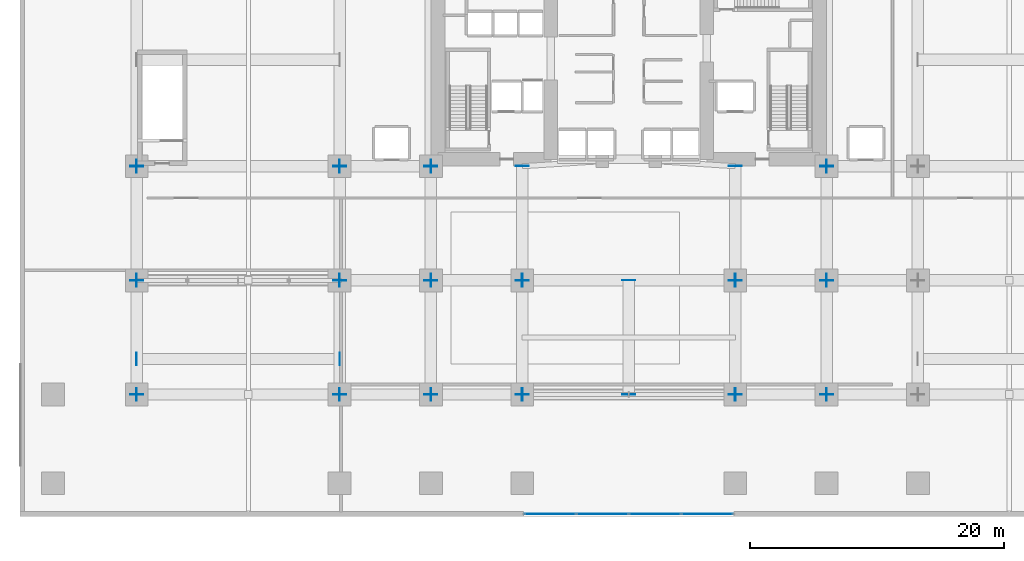
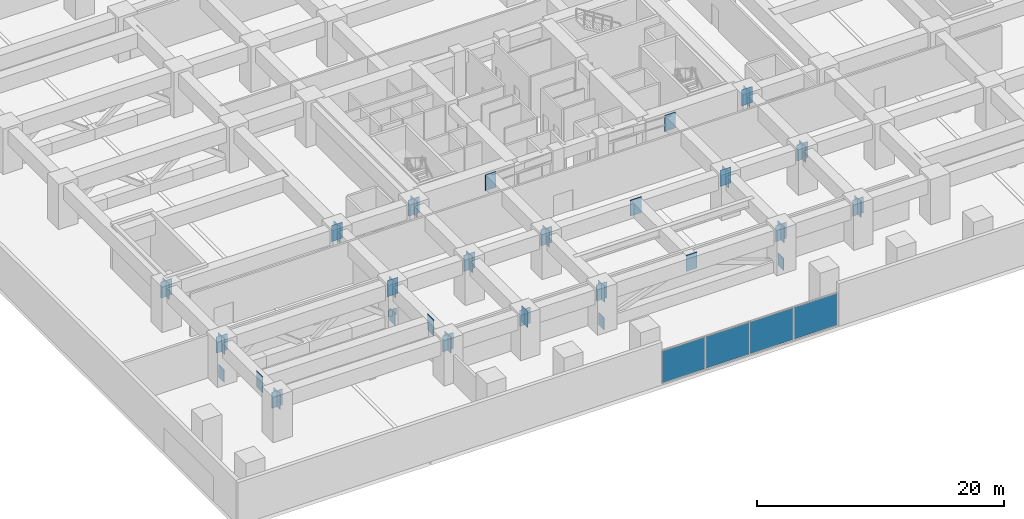
# One storey, part 8 of 25: 68 plates, 1 element without a shape of its own.
"""IFC4 building model written with IfcOpenShell, lengths in metres."""

from ifc_helpers import new_model, si_unit, direction, frame, origin, origin_2d, place, context, subcontext, project, spatial, rectangle, extrude, material, layer, layer_set, type_object, element, aggregate, save


model = new_model("IFC4")

# Units and contexts
model_context = context("Model", 3, precision=1e-05, world=origin(), true_north=direction((0.0, 1.0)))
body_context = subcontext(model_context, "Body", "Model", "MODEL_VIEW")
ifc_project = project(units=[si_unit("LENGTHUNIT", "METRE"), si_unit("AREAUNIT", "SQUARE_METRE"), si_unit("VOLUMEUNIT", "CUBIC_METRE"), si_unit("PLANEANGLEUNIT", "RADIAN"), si_unit("MASSUNIT", "GRAM", prefix="KILO")], contexts=[model_context])

# Site, building, storey
site_placement = place(None, origin())
site = spatial("IfcSite", under=ifc_project, at=site_placement, CompositionType="ELEMENT")
building_placement = place(site_placement, origin())
building = spatial("IfcBuilding", under=site, at=building_placement, Name="Kiyonajd Concourse Tower", CompositionType="ELEMENT")
storey_placement = place(building_placement, frame((0.0, 0.0, 17.10009765625)))
storey = spatial("IfcBuildingStorey", under=building, at=storey_placement, Name="L05", CompositionType="ELEMENT", Elevation=17.10009765625)

# Plates
ifc_material_1 = material(Name="Steel ASTM A572 Grade 50", Category="steel")
ifc_layer_1 = layer(ifc_material_1, 0.031982421875)
ifc_layer_set_1 = layer_set([ifc_layer_1], Name="Steel ASTM A572 Grade 50")
plate_type_1 = type_object("IfcPlateType", Name="PL-CAP-540", PredefinedType="USERDEFINED", material=ifc_layer_set_1)
for number, where, z_axis, x_axis, name in (
    (1, (9.18896484375, 18.60009765625, -0.0703125), (0.0, 0.0, 1.0), (-1.0, 0.0, 0.0), "L05 Truss Chord End Cap"),
    (2, (25.2109375, 18.60009765625, -0.0703125), (0.0, 0.0, 1.0), (1.0, 0.0, 0.0), "L05 Truss Chord End Cap"),
    (3, (39.589111328125, 9.60009765625, -0.0703125), (0.0, 0.0, 1.0), (-1.0, 0.0, 0.0), "L05 Concourse Chord Cap"),
    (4, (56.410888671875, 9.60009765625, -0.0703125), (0.0, 0.0, 1.0), (1.0, 0.0, 0.0), "L05 Concourse Chord Cap"),
):
    element("IfcPlate", number, at=place(storey_placement, frame(where, z_axis=z_axis, x_axis=x_axis)), inside=storey, type_object=plate_type_1, Name=name, ObjectType="CAP PLATE", PredefinedType="USERDEFINED", context=body_context, shape_type="SweptSolid", body=[
        extrude(rectangle(XDim=0.035888671875, YDim=0.8701171875, at=origin_2d()), origin(), (0.0, 0.0, 1.0), 1.239990234375),
    ])
for number, where, z_axis, x_axis, name in (
    (5, (9.18896484375, 12.39990234375, 2.7197265625), (0.0, 0.0, 1.0), (-1.0, 0.0, 0.0), "L05 Transfer Box Cap Plate"),
    (6, (25.2109375, 12.39990234375, 2.7197265625), (0.0, 0.0, 1.0), (1.0, 0.0, 0.0), "L05 Transfer Box Cap Plate"),
    (7, (48.0, 9.589111328125, 2.7197265625), (0.0, 0.0, 1.0), (0.0, -1.0, 0.0), "L05 Transfer Box Cap Plate"),
    (8, (48.0, 18.611083984375, 2.7197265625), (0.0, 0.0, 1.0), (0.0, 1.0, 0.0), "L05 Transfer Box Cap Plate"),
    (9, (9.18896484375, 9.60009765625, 2.7197265625), (0.0, 0.0, 1.0), (-1.0, 0.0, 0.0), "L05 Welded Box Girder End Cap"),
    (10, (25.2109375, 9.60009765625, 2.7197265625), (0.0, 0.0, 1.0), (1.0, 0.0, 0.0), "L05 Welded Box Girder End Cap"),
    (11, (25.18896484375, 9.60009765625, 2.7197265625), (0.0, 0.0, 1.0), (-1.0, 0.0, 0.0), "L05 Welded Box Girder End Cap"),
    (12, (32.410888671875, 9.60009765625, 2.7197265625), (0.0, 0.0, 1.0), (1.0, 0.0, 0.0), "L05 Welded Box Girder End Cap"),
    (13, (32.388916015625, 9.60009765625, 2.7197265625), (0.0, 0.0, 1.0), (-1.0, 0.0, 0.0), "L05 Welded Box Girder End Cap"),
    (14, (39.611083984375, 9.60009765625, 2.7197265625), (0.0, 0.0, 1.0), (1.0, 0.0, 0.0), "L05 Welded Box Girder End Cap"),
    (15, (39.589111328125, 9.60009765625, 2.7197265625), (0.0, 0.0, 1.0), (-1.0, 0.0, 0.0), "L05 Welded Box Girder End Cap"),
    (16, (56.410888671875, 9.60009765625, 2.7197265625), (0.0, 0.0, 1.0), (1.0, 0.0, 0.0), "L05 Welded Box Girder End Cap"),
    (17, (56.388916015625, 9.60009765625, 2.7197265625), (0.0, 0.0, 1.0), (-1.0, 0.0, 0.0), "L05 Welded Box Girder End Cap"),
    (18, (63.611083984375, 9.60009765625, 2.7197265625), (0.0, 0.0, 1.0), (1.0, 0.0, 0.0), "L05 Welded Box Girder End Cap"),
    (19, (63.589111328125, 9.60009765625, 2.7197265625), (0.0, 0.0, 1.0), (-1.0, 0.0, 0.0), "L05 Welded Box Girder End Cap"),
    (20, (9.18896484375, 18.60009765625, 2.7197265625), (0.0, 0.0, 1.0), (-1.0, 0.0, 0.0), "L05 Welded Box Girder End Cap"),
    (21, (25.2109375, 18.60009765625, 2.7197265625), (0.0, 0.0, 1.0), (1.0, 0.0, 0.0), "L05 Welded Box Girder End Cap"),
    (22, (25.18896484375, 18.60009765625, 2.7197265625), (0.0, 0.0, 1.0), (-1.0, 0.0, 0.0), "L05 Welded Box Girder End Cap"),
    (23, (32.410888671875, 18.60009765625, 2.7197265625), (0.0, 0.0, 1.0), (1.0, 0.0, 0.0), "L05 Welded Box Girder End Cap"),
    (24, (32.388916015625, 18.60009765625, 2.7197265625), (0.0, 0.0, 1.0), (-1.0, 0.0, 0.0), "L05 Welded Box Girder End Cap"),
    (25, (39.611083984375, 18.60009765625, 2.7197265625), (0.0, 0.0, 1.0), (1.0, 0.0, 0.0), "L05 Welded Box Girder End Cap"),
    (26, (39.589111328125, 18.60009765625, 2.7197265625), (0.0, 0.0, 1.0), (-1.0, 0.0, 0.0), "L05 Welded Box Girder End Cap"),
    (27, (56.410888671875, 18.60009765625, 2.7197265625), (0.0, 0.0, 1.0), (1.0, 0.0, 0.0), "L05 Welded Box Girder End Cap"),
    (28, (56.388916015625, 18.60009765625, 2.7197265625), (0.0, 0.0, 1.0), (-1.0, 0.0, 0.0), "L05 Welded Box Girder End Cap"),
    (29, (63.611083984375, 18.60009765625, 2.7197265625), (0.0, 0.0, 1.0), (1.0, 0.0, 0.0), "L05 Welded Box Girder End Cap"),
    (30, (63.589111328125, 18.60009765625, 2.7197265625), (0.0, 0.0, 1.0), (-1.0, 0.0, 0.0), "L05 Welded Box Girder End Cap"),
    (31, (9.18896484375, 27.60009765625, 2.7197265625), (0.0, 0.0, 1.0), (-1.0, 0.0, 0.0), "L05 Welded Box Girder End Cap"),
    (32, (25.2109375, 27.60009765625, 2.7197265625), (0.0, 0.0, 1.0), (1.0, 0.0, 0.0), "L05 Welded Box Girder End Cap"),
    (33, (25.18896484375, 27.60009765625, 2.7197265625), (0.0, 0.0, 1.0), (-1.0, 0.0, 0.0), "L05 Welded Box Girder End Cap"),
    (34, (32.410888671875, 27.60009765625, 2.7197265625), (0.0, 0.0, 1.0), (1.0, 0.0, 0.0), "L05 Welded Box Girder End Cap"),
    (35, (63.589111328125, 27.60009765625, 2.7197265625), (0.0, 0.0, 1.0), (-1.0, 0.0, 0.0), "L05 Welded Box Girder End Cap"),
    (36, (9.199951171875, 9.589111328125, 2.73974609375), (0.0, 0.0, 1.0), (0.0, -1.0, 0.0), "L05 Welded Box Girder End Cap"),
    (37, (9.199951171875, 18.611083984375, 2.73974609375), (0.0, 0.0, 1.0), (0.0, 1.0, 0.0), "L05 Welded Box Girder End Cap"),
    (38, (9.199951171875, 18.589111328125, 2.73974609375), (0.0, 0.0, 1.0), (0.0, -1.0, 0.0), "L05 Welded Box Girder End Cap"),
    (39, (9.199951171875, 27.611083984375, 2.73974609375), (0.0, 0.0, 1.0), (0.0, 1.0, 0.0), "L05 Welded Box Girder End Cap"),
    (40, (9.199951171875, 27.589111328125, 2.73974609375), (0.0, 0.0, 1.0), (0.0, -1.0, 0.0), "L05 Welded Box Girder End Cap"),
    (41, (25.199951171875, 9.589111328125, 2.7197265625), (0.0, 0.0, 1.0), (0.0, -1.0, 0.0), "L05 Welded Box Girder End Cap"),
    (42, (25.199951171875, 18.611083984375, 2.7197265625), (0.0, 0.0, 1.0), (0.0, 1.0, 0.0), "L05 Welded Box Girder End Cap"),
    (43, (25.199951171875, 18.589111328125, 2.7197265625), (0.0, 0.0, 1.0), (0.0, -1.0, 0.0), "L05 Welded Box Girder End Cap"),
    (44, (25.199951171875, 27.611083984375, 2.7197265625), (0.0, 0.0, 1.0), (0.0, 1.0, 0.0), "L05 Welded Box Girder End Cap"),
    (45, (25.199951171875, 27.589111328125, 2.7197265625), (0.0, 0.0, 1.0), (0.0, -1.0, 0.0), "L05 Welded Box Girder End Cap"),
    (46, (32.39990234375, 9.589111328125, 2.7197265625), (0.0, 0.0, 1.0), (0.0, -1.0, 0.0), "L05 Welded Box Girder End Cap"),
    (47, (32.39990234375, 18.611083984375, 2.7197265625), (0.0, 0.0, 1.0), (0.0, 1.0, 0.0), "L05 Welded Box Girder End Cap"),
    (48, (32.39990234375, 18.589111328125, 2.7197265625), (0.0, 0.0, 1.0), (0.0, -1.0, 0.0), "L05 Welded Box Girder End Cap"),
    (49, (32.39990234375, 27.611083984375, 2.7197265625), (0.0, 0.0, 1.0), (0.0, 1.0, 0.0), "L05 Welded Box Girder End Cap"),
    (50, (32.39990234375, 27.589111328125, 2.7197265625), (0.0, 0.0, 1.0), (0.0, -1.0, 0.0), "L05 Welded Box Girder End Cap"),
    (51, (39.60009765625, 9.589111328125, 2.7197265625), (0.0, 0.0, 1.0), (0.0, -1.0, 0.0), "L05 Welded Box Girder End Cap"),
    (52, (39.60009765625, 18.611083984375, 2.7197265625), (0.0, 0.0, 1.0), (0.0, 1.0, 0.0), "L05 Welded Box Girder End Cap"),
    (53, (39.60009765625, 18.589111328125, 2.7197265625), (0.0, 0.0, 1.0), (0.0, -1.0, 0.0), "L05 Welded Box Girder End Cap"),
    (54, (39.60009765625, 27.611083984375, 2.7197265625), (0.0, 0.0, 1.0), (0.0, 1.0, 0.0), "L05 Welded Box Girder End Cap"),
    (55, (56.39990234375, 9.589111328125, 2.7197265625), (0.0, 0.0, 1.0), (0.0, -1.0, 0.0), "L05 Welded Box Girder End Cap"),
    (56, (56.39990234375, 18.611083984375, 2.7197265625), (0.0, 0.0, 1.0), (0.0, 1.0, 0.0), "L05 Welded Box Girder End Cap"),
    (57, (56.39990234375, 18.589111328125, 2.7197265625), (0.0, 0.0, 1.0), (0.0, -1.0, 0.0), "L05 Welded Box Girder End Cap"),
    (58, (56.39990234375, 27.611083984375, 2.7197265625), (0.0, 0.0, 1.0), (0.0, 1.0, 0.0), "L05 Welded Box Girder End Cap"),
    (59, (63.60009765625, 9.589111328125, 2.7197265625), (0.0, 0.0, 1.0), (0.0, -1.0, 0.0), "L05 Welded Box Girder End Cap"),
    (60, (63.60009765625, 18.611083984375, 2.7197265625), (0.0, 0.0, 1.0), (0.0, 1.0, 0.0), "L05 Welded Box Girder End Cap"),
    (61, (63.60009765625, 18.589111328125, 2.7197265625), (0.0, 0.0, 1.0), (0.0, -1.0, 0.0), "L05 Welded Box Girder End Cap"),
    (62, (63.60009765625, 27.611083984375, 2.7197265625), (0.0, 0.0, 1.0), (0.0, 1.0, 0.0), "L05 Welded Box Girder End Cap"),
    (63, (63.60009765625, 27.589111328125, 2.7197265625), (0.0, 0.0, 1.0), (0.0, -1.0, 0.0), "L05 Welded Box Girder End Cap"),
):
    element("IfcPlate", number, at=place(storey_placement, frame(where, z_axis=z_axis, x_axis=x_axis)), inside=storey, type_object=plate_type_1, Name=name, ObjectType="CAP PLATE", PredefinedType="USERDEFINED", context=body_context, shape_type="SweptSolid", body=[
        extrude(rectangle(XDim=0.035888671875, YDim=1.02001953125, at=origin_2d()), origin(), (0.0, 0.0, 1.0), 1.590087890625),
    ])

# Curtain wall, plates
ifc_material_2 = material(Name="Thermally Broken Anodised Aluminium", Category="aluminium")
ifc_layer_2 = layer(ifc_material_2, 0.179931640625)
ifc_layer_set_2 = layer_set([ifc_layer_2], Name="Thermally Broken Anodised Aluminium")
curtain_wall_type = type_object("IfcCurtainWallType", Name="CW-SYS-01", PredefinedType="NOTDEFINED", material=ifc_layer_set_2)
curtain_wall_placement = place(storey_placement, origin())
curtain_wall = element("IfcCurtainWall", 64, at=curtain_wall_placement, inside=storey, type_object=curtain_wall_type, Name="L05 Unitised Curtain Wall CW1", PredefinedType="NOTDEFINED")
ifc_material_3 = material(Name="Double Low-E Insulated Glass", Category="glass")
ifc_layer_3 = layer(ifc_material_3, 0.0400390625)
ifc_layer_set_3 = layer_set([ifc_layer_3], Name="Double Low-E Insulated Glass")
plate_type_2 = type_object("IfcPlateType", Name="PL-CW-VIS40", PredefinedType="CURTAIN_PANEL", material=ifc_layer_set_3)
plate_1_placement = place(storey_placement, frame((54.191162109375, 0.179931640625, 0.0751953125), z_axis=(0.0, 0.0, 1.0), x_axis=(-1.0, 0.0, 0.0)))
plate_1 = element("IfcPlate", 65, at=plate_1_placement, type_object=plate_type_2, Name="CW1 panel 1.1", PredefinedType="CURTAIN_PANEL", context=body_context, shape_type="SweptSolid", body=[
    extrude(rectangle(XDim=4.027587890625, YDim=0.0400390625, at=origin_2d()), origin(), (0.0, 0.0, 1.0), 3.139892578125),
])
plate_2_placement = place(storey_placement, frame((50.070068359375, 0.179931640625, 0.0751953125), z_axis=(0.0, 0.0, 1.0), x_axis=(-1.0, 0.0, 0.0)))
plate_2 = element("IfcPlate", 66, at=plate_2_placement, type_object=plate_type_2, Name="CW1 panel 2.1", PredefinedType="CURTAIN_PANEL", context=body_context, shape_type="SweptSolid", body=[
    extrude(rectangle(XDim=4.06494140625, YDim=0.0400390625, at=origin_2d()), origin(), (0.0, 0.0, 1.0), 3.139892578125),
])
plate_3_placement = place(storey_placement, frame((45.929931640625, 0.179931640625, 0.0751953125), z_axis=(0.0, 0.0, 1.0), x_axis=(-1.0, 0.0, 0.0)))
plate_3 = element("IfcPlate", 67, at=plate_3_placement, type_object=plate_type_2, Name="CW1 panel 3.1", PredefinedType="CURTAIN_PANEL", context=body_context, shape_type="SweptSolid", body=[
    extrude(rectangle(XDim=4.06494140625, YDim=0.0400390625, at=origin_2d()), origin(), (0.0, 0.0, 1.0), 3.139892578125),
])
plate_4_placement = place(storey_placement, frame((41.808837890625, 0.179931640625, 0.0751953125), z_axis=(0.0, 0.0, 1.0), x_axis=(-1.0, 0.0, 0.0)))
plate_4 = element("IfcPlate", 68, at=plate_4_placement, type_object=plate_type_2, Name="CW1 panel 4.1", PredefinedType="CURTAIN_PANEL", context=body_context, shape_type="SweptSolid", body=[
    extrude(rectangle(XDim=4.027587890625, YDim=0.0400390625, at=origin_2d()), origin(), (0.0, 0.0, 1.0), 3.139892578125),
])
aggregate(curtain_wall, [plate_1, plate_2, plate_3, plate_4])

# Plate
ifc_layer_4 = layer(ifc_material_1, 0.64990234375)
ifc_layer_set_4 = layer_set([ifc_layer_4], Name="Steel ASTM A572 Grade 50")
plate_type_3 = type_object("IfcPlateType", Name="PL-GUS-TN1", PredefinedType="USERDEFINED", material=ifc_layer_set_4)
plate_5_placement = place(storey_placement, frame((25.199951171875, 18.60009765625, 0.675048828125), z_axis=(0.0, 0.0, 1.0), x_axis=(1.0, 0.0, 0.0)))
element("IfcPlate", 69, at=plate_5_placement, inside=storey, type_object=plate_type_3, Name="Structural Node Assembly Gusset TN3", ObjectType="GUSSET PLATE", PredefinedType="USERDEFINED", context=body_context, shape_type="SweptSolid", body=[
    extrude(rectangle(XDim=0.780029296875, YDim=0.044921875, at=origin_2d()), origin(), (0.0, 0.0, 1.0), 0.64990234375),
])

save(model, "model.ifc")
